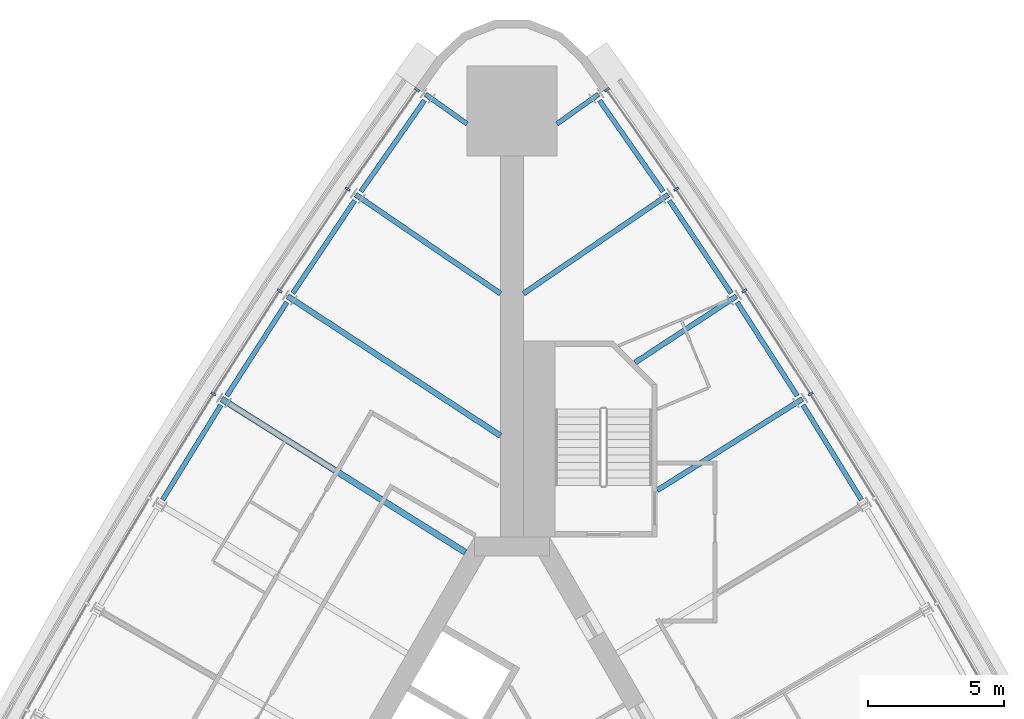
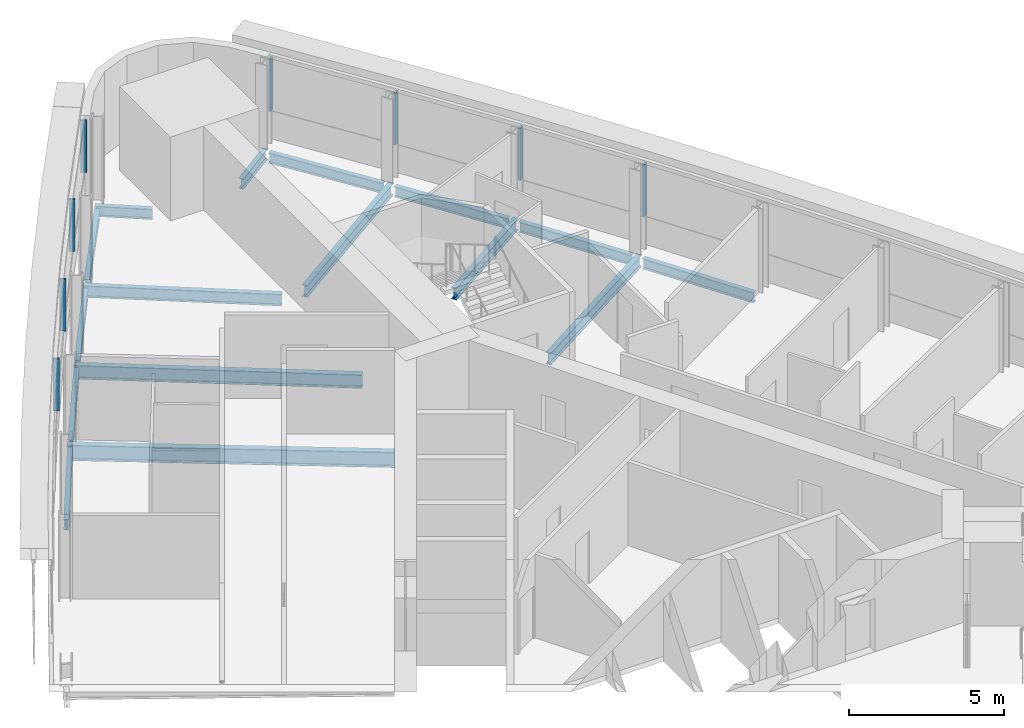
# One storey, part 8 of 15: 16 beams, 8 members, 2 elements without a shape of their own.
"""IFC4 building model written with IfcOpenShell, lengths in metres."""

from ifc_helpers import new_model, si_unit, direction, frame, origin, origin_2d, place, context, subcontext, project, spatial, rectangle, i_section, extrude, material, material_profile, profile_set, type_object, element, aggregate, save


model = new_model("IFC4")

# Units and contexts
model_context = context("Model", 3, precision=1e-05, world=origin(), true_north=direction((0.0, 1.0)))
body_context = subcontext(model_context, "Body", "Model", "MODEL_VIEW")
ifc_project = project(units=[si_unit("LENGTHUNIT", "METRE"), si_unit("AREAUNIT", "SQUARE_METRE"), si_unit("VOLUMEUNIT", "CUBIC_METRE"), si_unit("PLANEANGLEUNIT", "RADIAN"), si_unit("MASSUNIT", "GRAM", prefix="KILO")], contexts=[model_context])

# Site, building, storey
site_placement = place(None, origin())
site = spatial("IfcSite", under=ifc_project, at=site_placement, CompositionType="ELEMENT")
building_placement = place(site_placement, origin())
building = spatial("IfcBuilding", under=site, at=building_placement, Name="Noor Cloister Tower", CompositionType="ELEMENT")
storey_placement = place(building_placement, frame((0.0, 0.0, 49.199951171875)))
storey = spatial("IfcBuildingStorey", under=building, at=storey_placement, Name="L12", CompositionType="ELEMENT", Elevation=49.199951171875)

# Curtain wall, members
ifc_material_1 = material(Name="Aluminium 6063-T6 anodised", Category="aluminium")
curtain_wall_type = type_object("IfcCurtainWallType", Name="Ribbon curtain wall, lower tower CW1", PredefinedType="NOTDEFINED", material=ifc_material_1)
curtain_wall_1_placement = place(storey_placement, origin())
curtain_wall_1 = element("IfcCurtainWall", 1, at=curtain_wall_1_placement, inside=storey, type_object=curtain_wall_type, Name="CW1 L12 NW run 1", PredefinedType="NOTDEFINED")
ifc_material_2 = material(Name="Aluminium 6063-T6 anodised", Category="aluminium")
ifc_material_profile_1 = material_profile(ifc_material_2, rectangle(XDim=0.199951171875, YDim=0.080078125, at=origin_2d()), Name="200 x 80 mullion")
ifc_profile_set_1 = profile_set([ifc_material_profile_1], Name="Aluminium 6063-T6 anodised")
member_type = type_object("IfcMemberType", Name="Mullion CW1 80 x 200", PredefinedType="MULLION", material=ifc_profile_set_1)
member_1_placement = place(storey_placement, frame((-3.48876953125, 27.900390625, 1.10009765625), z_axis=(0.0, 0.0, 1.0), x_axis=(0.820380445931, -0.5718180864, 0.0)))
member_1 = element("IfcMember", 2, at=member_1_placement, type_object=member_type, Name="CW1 mullion 1", PredefinedType="MULLION", context=body_context, shape_type="SweptSolid", body=[
    extrude(rectangle(XDim=0.199951171875, YDim=0.080078125, at=origin_2d()), origin(), (0.0, 0.0, 1.0), 2.050048828125),
])
member_2_placement = place(storey_placement, frame((-6.03857421875, 24.242431640625, 1.10009765625), z_axis=(0.0, 0.0, 1.0), x_axis=(0.825751893691, -0.564033518566, 0.0)))
member_2 = element("IfcMember", 3, at=member_2_placement, type_object=member_type, Name="CW1 mullion 2", PredefinedType="MULLION", context=body_context, shape_type="SweptSolid", body=[
    extrude(rectangle(XDim=0.199951171875, YDim=0.080078125, at=origin_2d()), origin(), (0.0, 0.0, 1.0), 2.050048828125),
])
member_3_placement = place(storey_placement, frame((-8.54052734375, 20.50439453125, 1.10009765625), z_axis=(0.0, 0.0, 1.0), x_axis=(0.836272729558, -0.548313707469, 0.0)))
member_3 = element("IfcMember", 4, at=member_3_placement, type_object=member_type, Name="CW1 mullion 3", PredefinedType="MULLION", context=body_context, shape_type="SweptSolid", body=[
    extrude(rectangle(XDim=0.199951171875, YDim=0.080078125, at=origin_2d()), origin(), (0.0, 0.0, 1.0), 2.050048828125),
])
member_4_placement = place(storey_placement, frame((-10.970947265625, 16.719482421875, 1.10009765625), z_axis=(0.0, 0.0, 1.0), x_axis=(0.846494346666, -0.532397709482, 0.0)))
member_4 = element("IfcMember", 5, at=member_4_placement, type_object=member_type, Name="CW1 mullion 4", PredefinedType="MULLION", context=body_context, shape_type="SweptSolid", body=[
    extrude(rectangle(XDim=0.199951171875, YDim=0.080078125, at=origin_2d()), origin(), (0.0, 0.0, 1.0), 2.050048828125),
])
aggregate(curtain_wall_1, [member_1, member_2, member_3, member_4])

curtain_wall_2_placement = place(storey_placement, origin())
curtain_wall_2 = element("IfcCurtainWall", 6, at=curtain_wall_2_placement, inside=storey, type_object=curtain_wall_type, Name="CW1 L12 NE run 3", PredefinedType="NOTDEFINED")
member_5_placement = place(storey_placement, frame((10.970947265625, 16.719482421875, 1.10009765625), z_axis=(0.0, 0.0, 1.0), x_axis=(-0.846494346666, -0.532397709482, 0.0)))
member_5 = element("IfcMember", 7, at=member_5_placement, type_object=member_type, Name="CW1 mullion 8", PredefinedType="MULLION", context=body_context, shape_type="SweptSolid", body=[
    extrude(rectangle(XDim=0.199951171875, YDim=0.080078125, at=origin_2d()), origin(), (0.0, 0.0, 1.0), 2.050048828125),
])
member_6_placement = place(storey_placement, frame((8.54052734375, 20.50439453125, 1.10009765625), z_axis=(0.0, 0.0, 1.0), x_axis=(-0.836272729558, -0.548313707469, 0.0)))
member_6 = element("IfcMember", 8, at=member_6_placement, type_object=member_type, Name="CW1 mullion 9", PredefinedType="MULLION", context=body_context, shape_type="SweptSolid", body=[
    extrude(rectangle(XDim=0.199951171875, YDim=0.080078125, at=origin_2d()), origin(), (0.0, 0.0, 1.0), 2.050048828125),
])
member_7_placement = place(storey_placement, frame((6.03857421875, 24.242431640625, 1.10009765625), z_axis=(0.0, 0.0, 1.0), x_axis=(-0.825751893691, -0.564033518566, 0.0)))
member_7 = element("IfcMember", 9, at=member_7_placement, type_object=member_type, Name="CW1 mullion 10", PredefinedType="MULLION", context=body_context, shape_type="SweptSolid", body=[
    extrude(rectangle(XDim=0.199951171875, YDim=0.080078125, at=origin_2d()), origin(), (0.0, 0.0, 1.0), 2.050048828125),
])
member_8_placement = place(storey_placement, frame((3.48876953125, 27.900390625, 1.10009765625), z_axis=(0.0, 0.0, 1.0), x_axis=(-0.820380445931, -0.5718180864, 0.0)))
member_8 = element("IfcMember", 10, at=member_8_placement, type_object=member_type, Name="CW1 mullion 11", PredefinedType="MULLION", context=body_context, shape_type="SweptSolid", body=[
    extrude(rectangle(XDim=0.199951171875, YDim=0.080078125, at=origin_2d()), origin(), (0.0, 0.0, 1.0), 2.050048828125),
])
aggregate(curtain_wall_2, [member_5, member_6, member_7, member_8])

# Beams
ifc_material_3 = material(Name="Steel ASTM A992 Gr 50", Category="steel")
ifc_material_profile_2 = material_profile(ifc_material_3, i_section(OverallWidth=0.177978515625, OverallDepth=0.406005859375, WebThickness=0.0078125, FlangeThickness=0.0126953125, FilletRadius=0.01025390625, at=origin_2d()), Name="W410x60")
ifc_profile_set_2 = profile_set([ifc_material_profile_2], Name="Steel ASTM A992 Gr 50")
beam_type_1 = type_object("IfcBeamType", Name="Radial beam W410x60", PredefinedType="BEAM", material=ifc_profile_set_2)
for number, where, z_axis, x_axis, name in (
    (11, (-3.178955078125, 27.72802734375, -0.40283203125), (0.814936205274, -0.579550671929, 0.0), (0.579550671929, 0.814936205274, 0.0), "Radial beam NW 01 L12"),
    (12, (3.178955078125, 27.72802734375, -0.40283203125), (-0.814936205274, -0.579550671929, 0.0), (0.579550671929, -0.814936205274, 0.0), "Radial beam NE 11 L12"),
):
    element("IfcBeam", number, at=place(storey_placement, frame(where, z_axis=z_axis, x_axis=x_axis)), inside=storey, type_object=beam_type_1, Name=name, PredefinedType="BEAM", context=body_context, shape_type="SweptSolid", body=[
        extrude(i_section(OverallWidth=0.177978515625, OverallDepth=0.406005859375, WebThickness=0.0078125, FlangeThickness=0.0126953125, FilletRadius=0.01025390625, at=origin_2d()), origin(), (0.0, 0.0, 1.0), 1.876220703125),
    ])
ifc_material_4 = material(Name="Steel ASTM A992 Gr 50", Category="steel")
ifc_material_profile_3 = material_profile(ifc_material_4, i_section(OverallWidth=0.19091796875, OverallDepth=0.45703125, WebThickness=0.009033203125, FlangeThickness=0.014404296875, FilletRadius=0.01025390625, at=origin_2d()), Name="W460x74")
ifc_profile_set_3 = profile_set([ifc_material_profile_3], Name="Steel ASTM A992 Gr 50")
beam_type_2 = type_object("IfcBeamType", Name="Radial beam W460x74", PredefinedType="BEAM", material=ifc_profile_set_3)
beam_1_placement = place(storey_placement, frame((-5.7470703125, 24.04345703125, -0.428466796875), z_axis=(0.825732562414, -0.564061818749, 0.0), x_axis=(0.564061818749, 0.825732562414, 0.0)))
element("IfcBeam", 13, at=beam_1_placement, inside=storey, type_object=beam_type_2, Name="Radial beam NW 02 L12", PredefinedType="BEAM", context=body_context, shape_type="SweptSolid", body=[
    extrude(i_section(OverallWidth=0.19091796875, OverallDepth=0.45703125, WebThickness=0.009033203125, FlangeThickness=0.014404296875, FilletRadius=0.01025390625, at=origin_2d()), origin(), (0.0, 0.0, 1.0), 6.4453125),
])
beam_2_placement = place(storey_placement, frame((10.67236328125, 16.53173828125, -0.428466796875), z_axis=(-0.84649593942, -0.53239517705, 0.0), x_axis=(0.53239517705, -0.84649593942, 0.0)))
element("IfcBeam", 14, at=beam_2_placement, inside=storey, type_object=beam_type_2, Name="Radial beam NE 08 L12", PredefinedType="BEAM", context=body_context, shape_type="SweptSolid", body=[
    extrude(i_section(OverallWidth=0.19091796875, OverallDepth=0.45703125, WebThickness=0.009033203125, FlangeThickness=0.014404296875, FilletRadius=0.01025390625, at=origin_2d()), origin(), (0.0, 0.0, 1.0), 6.304443359375),
])
beam_3_placement = place(storey_placement, frame((8.2451171875, 20.310791015625, -0.428466796875), z_axis=(-0.836278171501, -0.54830540748, 0.0), x_axis=(0.54830540748, -0.836278171501, 0.0)))
element("IfcBeam", 15, at=beam_3_placement, inside=storey, type_object=beam_type_2, Name="Radial beam NE 09 L12", PredefinedType="BEAM", context=body_context, shape_type="SweptSolid", body=[
    extrude(i_section(OverallWidth=0.19091796875, OverallDepth=0.45703125, WebThickness=0.009033203125, FlangeThickness=0.014404296875, FilletRadius=0.01025390625, at=origin_2d()), origin(), (0.0, 0.0, 1.0), 4.45166015625),
])
beam_4_placement = place(storey_placement, frame((5.7470703125, 24.04345703125, -0.428466796875), z_axis=(-0.825732562414, -0.564061818749, 0.0), x_axis=(0.564061818749, -0.825732562414, 0.0)))
element("IfcBeam", 16, at=beam_4_placement, inside=storey, type_object=beam_type_2, Name="Radial beam NE 10 L12", PredefinedType="BEAM", context=body_context, shape_type="SweptSolid", body=[
    extrude(i_section(OverallWidth=0.19091796875, OverallDepth=0.45703125, WebThickness=0.009033203125, FlangeThickness=0.014404296875, FilletRadius=0.01025390625, at=origin_2d()), origin(), (0.0, 0.0, 1.0), 6.4453125),
])
ifc_material_5 = material(Name="Steel ASTM A992 Gr 50", Category="steel")
ifc_material_profile_4 = material_profile(ifc_material_5, i_section(OverallWidth=0.208984375, OverallDepth=0.532958984375, WebThickness=0.01025390625, FlangeThickness=0.015625, FilletRadius=0.0126953125, at=origin_2d()), Name="W530x92")
ifc_profile_set_4 = profile_set([ifc_material_profile_4], Name="Steel ASTM A992 Gr 50")
beam_type_3 = type_object("IfcBeamType", Name="Radial beam W530x92", PredefinedType="BEAM", material=ifc_profile_set_4)
beam_5_placement = place(storey_placement, frame((-8.2451171875, 20.310791015625, -0.466552734375), z_axis=(0.836267525836, -0.548321643958, 0.0), x_axis=(0.548321643958, 0.836267525836, 0.0)))
element("IfcBeam", 17, at=beam_5_placement, inside=storey, type_object=beam_type_3, Name="Radial beam NW 03 L12", PredefinedType="BEAM", context=body_context, shape_type="SweptSolid", body=[
    extrude(i_section(OverallWidth=0.208984375, OverallDepth=0.532958984375, WebThickness=0.01025390625, FlangeThickness=0.015625, FilletRadius=0.0126953125, at=origin_2d()), origin(), (0.0, 0.0, 1.0), 9.35107421875),
])
ifc_material_6 = material(Name="Steel ASTM A992 Gr 50", Category="steel")
ifc_material_profile_5 = material_profile(ifc_material_6, i_section(OverallWidth=0.22802734375, OverallDepth=0.60205078125, WebThickness=0.010498046875, FlangeThickness=0.014892578125, FilletRadius=0.0126953125, at=origin_2d()), Name="W610x101")
ifc_profile_set_5 = profile_set([ifc_material_profile_5], Name="Steel ASTM A992 Gr 50")
beam_type_4 = type_object("IfcBeamType", Name="Radial beam W610x101", PredefinedType="BEAM", material=ifc_profile_set_5)
beam_6_placement = place(storey_placement, frame((-10.67236328125, 16.53173828125, -0.5009765625), z_axis=(0.846489582687, -0.532405283973, 0.0), x_axis=(0.532405283973, 0.846489582687, 0.0)))
element("IfcBeam", 18, at=beam_6_placement, inside=storey, type_object=beam_type_4, Name="Radial beam NW 04 L12", PredefinedType="BEAM", context=body_context, shape_type="SweptSolid", body=[
    extrude(i_section(OverallWidth=0.22802734375, OverallDepth=0.60205078125, WebThickness=0.010498046875, FlangeThickness=0.014892578125, FilletRadius=0.0126953125, at=origin_2d()), origin(), (0.0, 0.0, 1.0), 10.587646484375),
])
ifc_material_7 = material(Name="Steel ASTM A992 Gr 50", Category="steel")
ifc_material_profile_6 = material_profile(ifc_material_7, i_section(OverallWidth=0.177978515625, OverallDepth=0.406005859375, WebThickness=0.0078125, FlangeThickness=0.0126953125, FilletRadius=0.01025390625, at=origin_2d()), Name="W410x60")
ifc_profile_set_6 = profile_set([ifc_material_profile_6], Name="Steel ASTM A992 Gr 50")
beam_type_5 = type_object("IfcBeamType", Name="Spandrel beam W410x60", PredefinedType="SPANDREL", material=ifc_profile_set_6)
for number, where, z_axis, x_axis, name in (
    (19, (-3.21533203125, 27.506103515625, -0.40283203125), (-0.571804849183, -0.820389672321, 0.0), (0.820389672321, -0.571804849183, 0.0), "Spandrel beam NW 01 L12"),
    (20, (-5.779296875, 23.82080078125, -0.40283203125), (-0.556216177473, -0.8310376429, 0.0), (0.8310376429, -0.556216177473, 0.0), "Spandrel beam NW 02 L12"),
    (21, (-8.273193359375, 20.087646484375, -0.40283203125), (-0.540373974592, -0.841424962539, 0.0), (0.841424962539, -0.540373974592, 0.0), "Spandrel beam NW 03 L12"),
):
    element("IfcBeam", number, at=place(storey_placement, frame(where, z_axis=z_axis, x_axis=x_axis)), inside=storey, type_object=beam_type_5, Name=name, PredefinedType="SPANDREL", context=body_context, shape_type="SweptSolid", body=[
        extrude(i_section(OverallWidth=0.177978515625, OverallDepth=0.406005859375, WebThickness=0.0078125, FlangeThickness=0.0126953125, FilletRadius=0.01025390625, at=origin_2d()), origin(), (0.0, 0.0, 1.0), 4.085693359375),
    ])
for number, where, z_axis, x_axis, name in (
    (22, (-10.696044921875, 16.30810546875, -0.40283203125), (-0.524374130172, -0.851487975022, 0.0), (0.851487975022, -0.524374130172, 0.0), "Spandrel beam NW 04 L12"),
    (23, (12.83837890625, 12.829345703125, -0.40283203125), (-0.524374130172, 0.851487975022, 0.0), (-0.851487975022, -0.524374130172, 0.0), "Spandrel beam NE 07 L12"),
):
    element("IfcBeam", number, at=place(storey_placement, frame(where, z_axis=z_axis, x_axis=x_axis)), inside=storey, type_object=beam_type_5, Name=name, PredefinedType="SPANDREL", context=body_context, shape_type="SweptSolid", body=[
        extrude(i_section(OverallWidth=0.177978515625, OverallDepth=0.406005859375, WebThickness=0.0078125, FlangeThickness=0.0126953125, FilletRadius=0.01025390625, at=origin_2d()), origin(), (0.0, 0.0, 1.0), 4.08544921875),
    ])
for number, where, z_axis, x_axis, name in (
    (24, (10.48095703125, 16.64990234375, -0.40283203125), (-0.540373974592, 0.841424962539, 0.0), (-0.841424962539, -0.540373974592, 0.0), "Spandrel beam NE 08 L12"),
    (25, (8.0517578125, 20.425537109375, -0.40283203125), (-0.556216177473, 0.8310376429, 0.0), (-0.8310376429, -0.556216177473, 0.0), "Spandrel beam NE 09 L12"),
    (26, (5.551513671875, 24.154296875, -0.40283203125), (-0.571804849183, 0.820389672321, 0.0), (-0.820389672321, -0.571804849183, 0.0), "Spandrel beam NE 10 L12"),
):
    element("IfcBeam", number, at=place(storey_placement, frame(where, z_axis=z_axis, x_axis=x_axis)), inside=storey, type_object=beam_type_5, Name=name, PredefinedType="SPANDREL", context=body_context, shape_type="SweptSolid", body=[
        extrude(i_section(OverallWidth=0.177978515625, OverallDepth=0.406005859375, WebThickness=0.0078125, FlangeThickness=0.0126953125, FilletRadius=0.01025390625, at=origin_2d()), origin(), (0.0, 0.0, 1.0), 4.085693359375),
    ])

save(model, "model.ifc")
